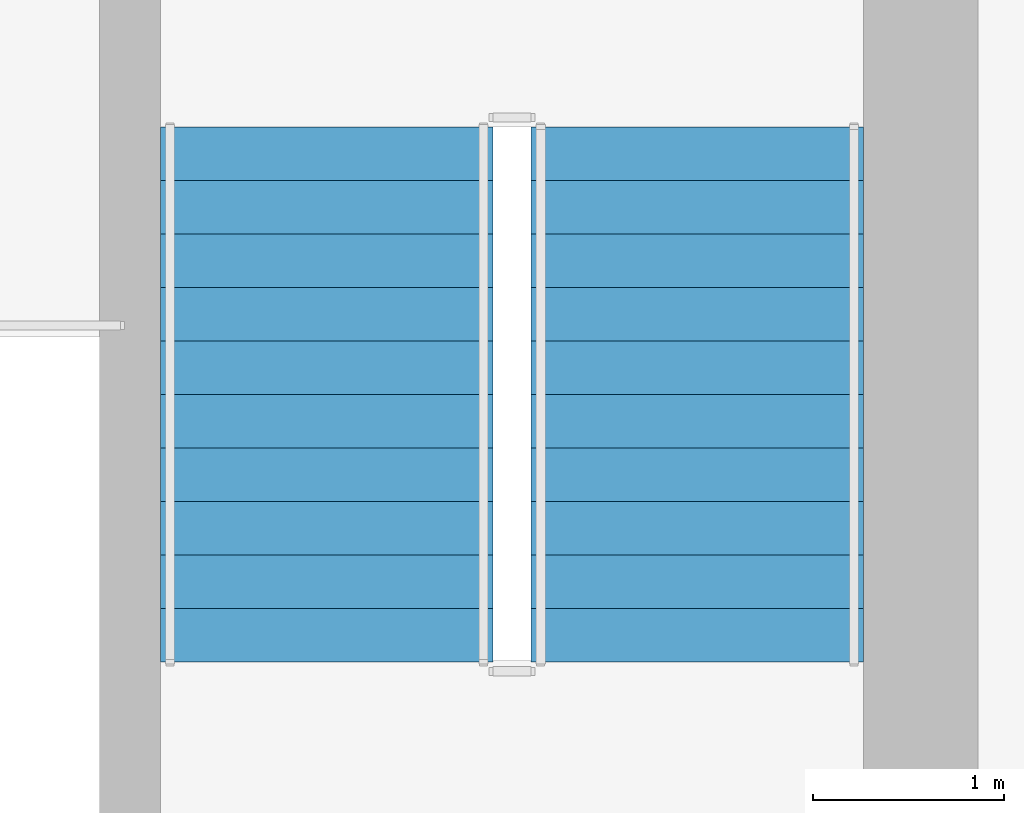
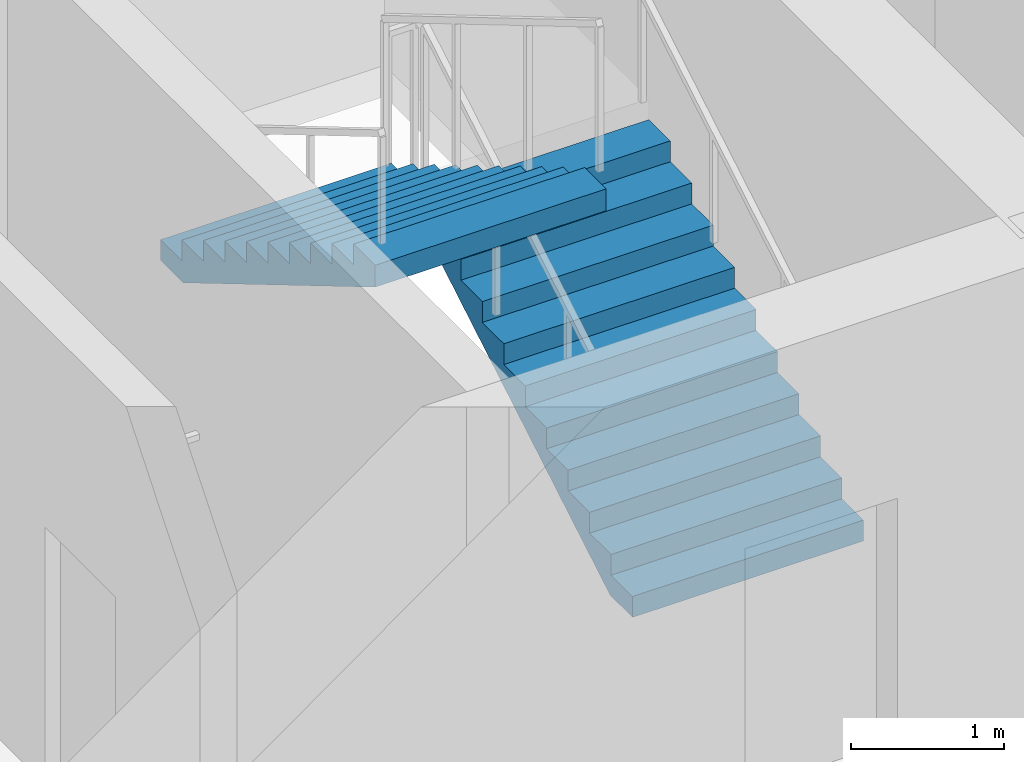
# One storey, part 8 of 9: 2 stair flights, 1 element without a shape of its own.
"""IFC4 building model written with IfcOpenShell, lengths in metres."""

import ifcopenshell
import ifcopenshell.guid

model = None  # the IFC model being written
_history = None  # IfcOwnerHistory: only IFC2X3 demands one
_inside = {}  # id of a spatial element -> (the spatial element, [elements in it])
_under = {}  # id of a project, library or spatial element -> (it, [spatial elements below it])
_declared = {}  # id of a project -> (the project, [libraries it declares])
_typed = {}  # id of a type object -> (the type object, [elements of that type])
_made_of = {}  # id of a material, layer set ... -> (it, [elements and type objects made of it])


def new_model(schema):
    """Start an empty IFC model of exactly this schema.

    Asked for "IFC4X3", IfcOpenShell would pick the latest addendum, in which some entities
    have other attributes; the version numbers below select the first issue.
    IFC2X3 requires an IfcOwnerHistory on every rooted entity: one is made here for all.
    """
    global model, _history
    if schema == "IFC4X3":
        model = ifcopenshell.file(schema_version=(4, 3, 0, 0))
    else:
        model = ifcopenshell.file(schema=schema)
    _inside.clear()
    _under.clear()
    _declared.clear()
    _typed.clear()
    _made_of.clear()
    _history = None
    if model.schema == "IFC2X3":
        org = make("IfcOrganization", Name="unknown")
        user = make(
            "IfcPersonAndOrganization",
            ThePerson=make("IfcPerson", FamilyName="unknown"),
            TheOrganization=org,
        )
        app = make(
            "IfcApplication",
            ApplicationDeveloper=org,
            Version="unknown",
            ApplicationFullName="unknown",
            ApplicationIdentifier="unknown",
        )
        _history = make(
            "IfcOwnerHistory",
            OwningUser=user,
            OwningApplication=app,
            ChangeAction="ADDED",
            CreationDate=0,
        )
    return model


def make(cls, **values):
    """One entity of the class cls with the attributes given. An attribute that is None is left unset."""
    return model.create_entity(
        cls, **{name: value for name, value in values.items() if value is not None}
    )


def rooted(cls, **values):
    """An entity with a GlobalId (a new one), such as an element, a storey or a relation."""
    return make(cls, GlobalId=ifcopenshell.guid.new(), OwnerHistory=_history, **values)


def si_unit(unit_type, name, prefix=None):
    """IfcSIUnit, for example si_unit("LENGTHUNIT", "METRE", prefix="MILLI")."""
    return make("IfcSIUnit", UnitType=unit_type, Prefix=prefix, Name=name)


def assignment(units):
    """IfcUnitAssignment: the units of a project."""
    return None if units is None else make("IfcUnitAssignment", Units=units)


def point(xyz):
    """IfcCartesianPoint."""
    return None if xyz is None else make("IfcCartesianPoint", Coordinates=xyz)


def direction(xyz):
    """IfcDirection."""
    return None if xyz is None else make("IfcDirection", DirectionRatios=xyz)


def frame(location, z_axis=None, x_axis=None):
    """IfcAxis2Placement3D, a coordinate frame: its origin and axes. An axis left out is left unset."""
    return make(
        "IfcAxis2Placement3D",
        Location=point(location),
        Axis=direction(z_axis),
        RefDirection=direction(x_axis),
    )


def origin():
    """The frame at (0, 0, 0) with its axes left unset."""
    return frame((0.0, 0.0, 0.0))


def place(relative_to, where):
    """IfcLocalPlacement: puts the frame where relative to a parent placement (None: the world)."""
    return make(
        "IfcLocalPlacement", PlacementRelTo=relative_to, RelativePlacement=where
    )


def context(
    kind, dimensions, precision=None, world=None, true_north=None, identifier=None
):
    """IfcGeometricRepresentationContext, for example the 3D "Model" context."""
    return make(
        "IfcGeometricRepresentationContext",
        ContextIdentifier=identifier,
        ContextType=kind,
        CoordinateSpaceDimension=dimensions,
        Precision=precision,
        WorldCoordinateSystem=world,
        TrueNorth=true_north,
    )


def subcontext(parent, identifier, kind, view, scale=None):
    """IfcGeometricRepresentationSubContext, for example "Body" below "Model"."""
    return make(
        "IfcGeometricRepresentationSubContext",
        ContextIdentifier=identifier,
        ContextType=kind,
        ParentContext=parent,
        TargetScale=scale,
        TargetView=view,
    )


def project(units=None, contexts=None):
    """IfcProject with its units and contexts."""
    return rooted(
        "IfcProject",
        Name="project",
        RepresentationContexts=contexts,
        UnitsInContext=assignment(units),
    )


def spatial(cls, under=None, at=None, **own):
    """A site, building, storey or space (cls), placed at a placement, below another one or the project."""
    s = rooted(cls, ObjectPlacement=at, **own)
    if under is not None:
        _under.setdefault(under.id(), (under, []))[1].append(s)
    return s


def polyline(points):
    """IfcPolyline through the points."""
    return make("IfcPolyline", Points=[point(p) for p in points])


def outline(outer, holes=None, kind="AREA"):
    """IfcArbitraryClosedProfileDef: a profile drawn as a closed curve; with holes, ...WithVoids."""
    if holes is None:
        return make("IfcArbitraryClosedProfileDef", ProfileType=kind, OuterCurve=outer)
    return make(
        "IfcArbitraryProfileDefWithVoids",
        ProfileType=kind,
        OuterCurve=outer,
        InnerCurves=holes,
    )


def extrude(swept, where, along, depth):
    """IfcExtrudedAreaSolid: the profile swept, set in the frame where, extruded along a direction by depth."""
    return make(
        "IfcExtrudedAreaSolid",
        SweptArea=swept,
        Position=where,
        ExtrudedDirection=direction(along),
        Depth=depth,
    )


def shape(context_of_items, identifier, shape_type, items):
    """IfcShapeRepresentation: the items that make up one representation, for example the "Body"."""
    return make(
        "IfcShapeRepresentation",
        ContextOfItems=context_of_items,
        RepresentationIdentifier=identifier,
        RepresentationType=shape_type,
        Items=items,
    )


def material(Name=None, Category=None):
    """IfcMaterial."""
    return make("IfcMaterial", Name=Name, Category=Category)


def made_of(thing, what):
    """Note that an element or type object is made of a material, layer set ...; save() writes the relation."""
    if what is not None:
        _made_of.setdefault(what.id(), (what, []))[1].append(thing)
    return thing


def type_object(cls, material=None, **own):
    """A type object (cls), such as IfcWallType, which elements share."""
    return made_of(rooted(cls, **own), material)


def element(
    cls,
    number,
    at=None,
    inside=None,
    cuts=None,
    type_object=None,
    material=None,
    context=None,
    identifier="Body",
    shape_type=None,
    held_by="IfcProductDefinitionShape",
    body=None,
    shapes=None,
    **own,
):
    """One element of the class cls, such as IfcWall. Its Tag is "e" and its number.

    at: its placement. inside: the storey or other place that contains it. cuts: it is an
    opening in that element (IfcRelVoidsElement). A single representation is given by context,
    identifier, shape_type and body (its items); several are given by shapes. held_by: the class
    of the entity that holds the representations. save() writes the other relations.
    """
    e = rooted(cls, Tag="e%d" % number, ObjectPlacement=at, **own)
    if body is not None:
        shapes = [shape(context, identifier, shape_type, body)]
    if shapes is not None:
        e.Representation = make(held_by, Representations=shapes)
    if inside is not None:
        _inside.setdefault(inside.id(), (inside, []))[1].append(e)
    if cuts is not None:
        rooted(
            "IfcRelVoidsElement", RelatingBuildingElement=cuts, RelatedOpeningElement=e
        )
    if type_object is not None:
        _typed.setdefault(type_object.id(), (type_object, []))[1].append(e)
    return made_of(e, material)


def aggregate(whole, parts):
    """IfcRelAggregates: a whole, such as a stair, and the parts it consists of."""
    return rooted("IfcRelAggregates", RelatingObject=whole, RelatedObjects=parts)


def save(model, path):
    """Write the relations noted so far, then the file.

    IfcRelAggregates (storeys below a building ...), IfcRelContainedInSpatialStructure (elements
    in a storey), IfcRelDefinesByType, IfcRelAssociatesMaterial and IfcRelDeclares: one each for
    every whole, place, type object, material and project.
    """
    for whole, parts in _under.values():
        aggregate(whole, parts)
    for where, things in _inside.values():
        rooted(
            "IfcRelContainedInSpatialStructure",
            RelatedElements=things,
            RelatingStructure=where,
        )
    for kind, things in _typed.values():
        rooted("IfcRelDefinesByType", RelatedObjects=things, RelatingType=kind)
    for what, things in _made_of.values():
        rooted("IfcRelAssociatesMaterial", RelatedObjects=things, RelatingMaterial=what)
    for by, libraries in _declared.values():
        rooted("IfcRelDeclares", RelatingContext=by, RelatedDefinitions=libraries)
    model.write(path)


model = new_model("IFC4")

# Units and contexts
model_context = context("Model", 3, precision=1e-05, world=origin(), true_north=direction((0.0, 1.0)))
body_context = subcontext(model_context, "Body", "Model", "MODEL_VIEW")
ifc_project = project(units=[si_unit("LENGTHUNIT", "METRE"), si_unit("AREAUNIT", "SQUARE_METRE"), si_unit("VOLUMEUNIT", "CUBIC_METRE"), si_unit("PLANEANGLEUNIT", "RADIAN"), si_unit("MASSUNIT", "GRAM", prefix="KILO")], contexts=[model_context])

# Site, building, storey
site_placement = place(None, origin())
site = spatial("IfcSite", under=ifc_project, at=site_placement, CompositionType="ELEMENT")
building_placement = place(site_placement, origin())
building = spatial("IfcBuilding", under=site, at=building_placement, Name="Talyreon Biosciences Tower", CompositionType="ELEMENT")
storey_placement = place(building_placement, frame((0.0, 0.0, 305.699951171875)))
storey = spatial("IfcBuildingStorey", under=building, at=storey_placement, Name="L81", CompositionType="ELEMENT", Elevation=305.699951171875)

# Stair, stair flights
ifc_material = material(Name="Concrete C40/50", Category="concrete")
stair_type = type_object("IfcStairType", Name="DoglegEscapeStair_3650", PredefinedType="HALF_TURN_STAIR", material=ifc_material)
stair_placement = place(storey_placement, origin())
stair = element("IfcStair", 1, at=stair_placement, inside=storey, type_object=stair_type, Name="L81 Core Escape Stair 2", PredefinedType="HALF_TURN_STAIR")
stair_flight_type = type_object("IfcStairFlightType", Name="PrecastStairFlight_3650", PredefinedType="STRAIGHT", material=ifc_material)
stair_flight_1_placement = place(storey_placement, frame((72.8798828125, 63.39990234375, 0.0), z_axis=(0.0, 0.0, 1.0), x_axis=(0.0, 1.0, 0.0)))
stair_flight_1 = element("IfcStairFlight", 2, at=stair_flight_1_placement, type_object=stair_flight_type, Name="ST-2 flight 1", NumberOfRisers=11, NumberOfTreads=10, PredefinedType="STRAIGHT", RiserHeight=0.165909091, TreadLength=0.28, context=body_context, shape_type="SweptSolid", body=[
    extrude(outline(polyline([(0.0, 0.0), (0.0, 0.166015625), (0.280029296875, 0.166015625), (0.280029296875, 0.331787109375), (0.56005859375, 0.331787109375), (0.56005859375, 0.497802734375), (0.840087890625, 0.497802734375), (0.840087890625, 0.66357421875), (1.1201171875, 0.66357421875), (1.1201171875, 0.82958984375), (1.39990234375, 0.82958984375), (1.39990234375, 0.995361328125), (1.679931640625, 0.995361328125), (1.679931640625, 1.161376953125), (1.9599609375, 1.161376953125), (1.9599609375, 1.327392578125), (2.239990234375, 1.327392578125), (2.239990234375, 1.4931640625), (2.52001953125, 1.4931640625), (2.52001953125, 1.6591796875), (2.800048828125, 1.6591796875), (2.800048828125, 1.824951171875), (2.800048828125, 1.48486328125), (0.2939453125, 0.0), (0.0, 0.0)])), frame((0.0, 0.8701171875, 0.0), z_axis=(0.0, -1.0, 0.0), x_axis=(1.0, 0.0, 0.0)), (0.0, 0.0, 1.0), 1.739990234375),
])
stair_flight_2_placement = place(storey_placement, frame((70.93994140625, 66.199951171875, 1.824951171875), z_axis=(0.0, 0.0, 1.0), x_axis=(0.0, -1.0, 0.0)))
stair_flight_2 = element("IfcStairFlight", 3, at=stair_flight_2_placement, type_object=stair_flight_type, Name="ST-2 flight 2", NumberOfRisers=11, NumberOfTreads=10, PredefinedType="STRAIGHT", RiserHeight=0.165909091, TreadLength=0.28, context=body_context, shape_type="SweptSolid", body=[
    extrude(outline(polyline([(0.0, 0.0), (0.0, 0.166015625), (0.280029296875, 0.166015625), (0.280029296875, 0.331787109375), (0.56005859375, 0.331787109375), (0.56005859375, 0.497802734375), (0.840087890625, 0.497802734375), (0.840087890625, 0.66357421875), (1.1201171875, 0.66357421875), (1.1201171875, 0.82958984375), (1.39990234375, 0.82958984375), (1.39990234375, 0.995361328125), (1.679931640625, 0.995361328125), (1.679931640625, 1.161376953125), (1.9599609375, 1.161376953125), (1.9599609375, 1.327392578125), (2.239990234375, 1.327392578125), (2.239990234375, 1.4931640625), (2.52001953125, 1.4931640625), (2.52001953125, 1.6591796875), (2.800048828125, 1.6591796875), (2.800048828125, 1.824951171875), (2.800048828125, 1.48486328125), (0.2939453125, 0.0), (0.0, 0.0)])), frame((0.0, 0.8701171875, 0.0), z_axis=(0.0, -1.0, 0.0), x_axis=(1.0, 0.0, 0.0)), (0.0, 0.0, 1.0), 1.739990234375),
])
aggregate(stair, [stair_flight_1, stair_flight_2])

save(model, "model.ifc")
